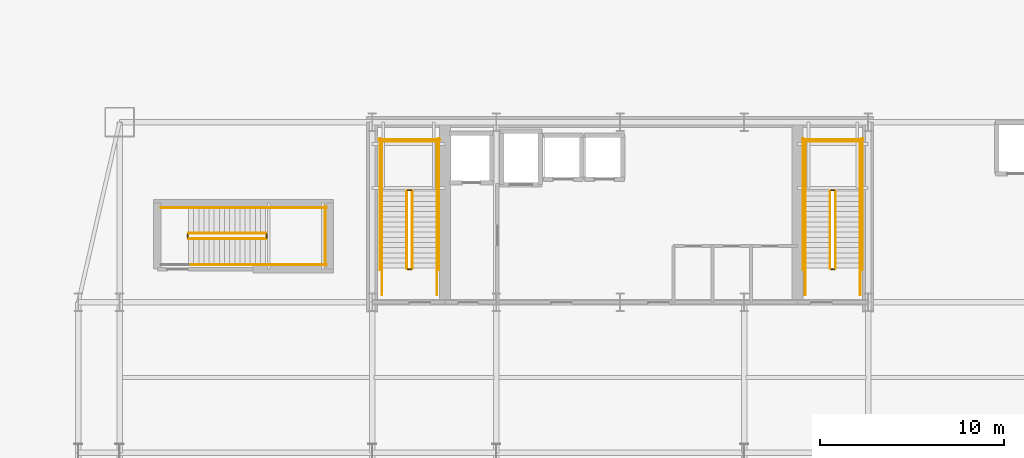
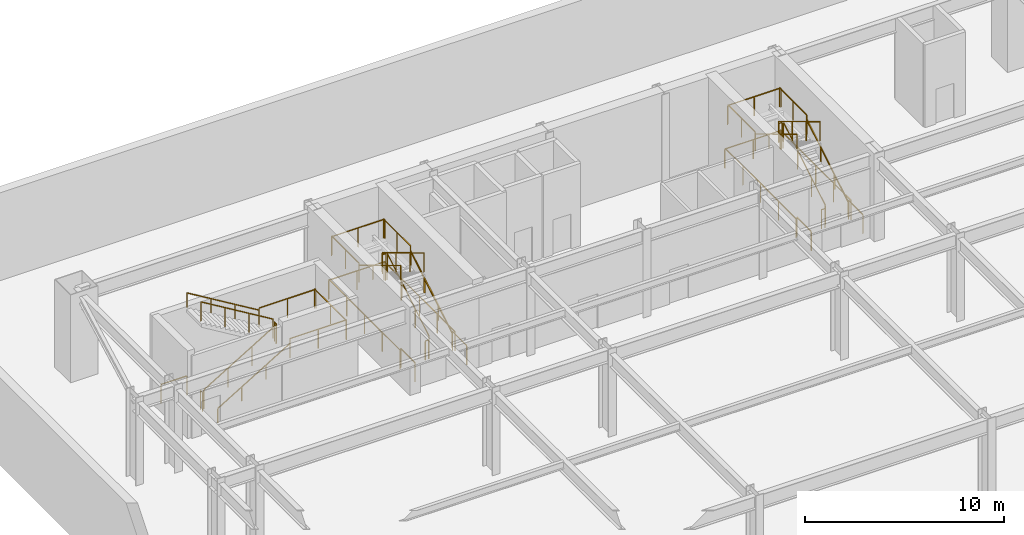
# One storey, part 13 of 16: 38 railings.
"""IFC4 building model written with IfcOpenShell, lengths in metres."""

from ifc_helpers import new_model, si_unit, direction, frame, origin, origin_2d, place, context, subcontext, project, spatial, rectangle, extrude, material, type_object, element, save


model = new_model("IFC4")

# Units and contexts
model_context = context("Model", 3, precision=1e-05, world=origin(), true_north=direction((0.0, 1.0)))
body_context = subcontext(model_context, "Body", "Model", "MODEL_VIEW")
ifc_project = project(units=[si_unit("LENGTHUNIT", "METRE"), si_unit("AREAUNIT", "SQUARE_METRE"), si_unit("VOLUMEUNIT", "CUBIC_METRE"), si_unit("PLANEANGLEUNIT", "RADIAN"), si_unit("MASSUNIT", "GRAM", prefix="KILO")], contexts=[model_context])

# Site, building, storey
site_placement = place(None, origin())
site = spatial("IfcSite", under=ifc_project, at=site_placement, CompositionType="ELEMENT")
building_placement = place(site_placement, origin())
building = spatial("IfcBuilding", under=site, at=building_placement, Name="Haevon Station Towers", CompositionType="ELEMENT")
storey_placement = place(building_placement, frame((0.0, 0.0, -5.39990234375)))
storey = spatial("IfcBuildingStorey", under=building, at=storey_placement, Name="B01", CompositionType="ELEMENT", Elevation=-5.39990234375)

# Railings
ifc_material = material(Name="Steel S355", Category="steel")
railing_type_1 = type_object("IfcRailingType", Name="GRD-STR1200", PredefinedType="GUARDRAIL", material=ifc_material)
railing_1_placement = place(storey_placement, frame((26.179931640625, 40.050048828125, 0.168701171875)))
element("IfcRailing", 1, at=railing_1_placement, inside=storey, type_object=railing_type_1, Name="B01 ST1 Stair Guard 1", PredefinedType="GUARDRAIL", context=body_context, shape_type="SweptSolid", body=[
    extrude(rectangle(XDim=0.048095703125, YDim=0.048095703125, at=origin_2d()), frame((0.0, 0.0, 1.17578125), z_axis=(0.0, 0.856476492594, 0.516186030065), x_axis=(-1.0, 0.0, 0.0)), (0.0, 0.0, 1.0), 4.90380859375),
    extrude(rectangle(XDim=0.0419921875, YDim=0.0419921875, at=origin_2d()), origin(), (0.0, 0.0, 1.0), 1.15185546875),
    extrude(rectangle(XDim=0.0419921875, YDim=0.0419921875, at=origin_2d()), frame((0.0, 1.39990234375, 0.84375)), (0.0, 0.0, 1.0), 1.15185546875),
    extrude(rectangle(XDim=0.0419921875, YDim=0.0419921875, at=origin_2d()), frame((0.0, 2.800048828125, 1.6875)), (0.0, 0.0, 1.0), 1.15185546875),
    extrude(rectangle(XDim=0.0419921875, YDim=0.0419921875, at=origin_2d()), frame((0.0, 4.199951171875, 2.53125)), (0.0, 0.0, 1.0), 1.15185546875),
])
railing_2_placement = place(storey_placement, frame((26.1298828125, 44.300048828125, 2.699951171875)))
element("IfcRailing", 2, at=railing_2_placement, inside=storey, type_object=railing_type_1, Name="B01 ST1 Stair Guard 2", PredefinedType="GUARDRAIL", context=body_context, shape_type="SweptSolid", body=[
    extrude(rectangle(XDim=0.048095703125, YDim=0.048095703125, at=origin_2d()), frame((0.0, 0.0, 1.17578125), z_axis=(-1.0, 0.0, 0.0), x_axis=(0.0, -1.0, 0.0)), (0.0, 0.0, 1.0), 0.199951171875),
    extrude(rectangle(XDim=0.0419921875, YDim=0.0419921875, at=origin_2d()), origin(), (0.0, 0.0, 1.0), 1.15185546875),
    extrude(rectangle(XDim=0.0419921875, YDim=0.0419921875, at=origin_2d()), frame((-0.199951171875, 0.0, 0.0)), (0.0, 0.0, 1.0), 1.15185546875),
])
for number, where, name in (
    (3, (27.530029296875, 44.25, 2.699951171875), "B01 ST1 Stair Guard 3"),
    (4, (24.530029296875, 44.25, 2.699951171875), "B01 ST1 Stair Guard 4"),
):
    element("IfcRailing", number, at=place(storey_placement, frame(where)), inside=storey, type_object=railing_type_1, Name=name, PredefinedType="GUARDRAIL", context=body_context, shape_type="SweptSolid", body=[
        extrude(rectangle(XDim=0.048095703125, YDim=0.048095703125, at=origin_2d()), frame((0.0, 0.0, 1.17578125), z_axis=(0.0, 1.0, 0.0), x_axis=(-1.0, 0.0, 0.0)), (0.0, 0.0, 1.0), 2.75),
        extrude(rectangle(XDim=0.0419921875, YDim=0.0419921875, at=origin_2d()), origin(), (0.0, 0.0, 1.0), 1.15185546875),
        extrude(rectangle(XDim=0.0419921875, YDim=0.0419921875, at=origin_2d()), frame((0.0, 1.375, 0.0)), (0.0, 0.0, 1.0), 1.15185546875),
        extrude(rectangle(XDim=0.0419921875, YDim=0.0419921875, at=origin_2d()), frame((0.0, 2.75, 0.0)), (0.0, 0.0, 1.0), 1.15185546875),
    ])
railing_3_placement = place(storey_placement, frame((27.580078125, 46.949951171875, 2.699951171875)))
element("IfcRailing", 5, at=railing_3_placement, inside=storey, type_object=railing_type_1, Name="B01 ST1 Stair Guard 5", PredefinedType="GUARDRAIL", context=body_context, shape_type="SweptSolid", body=[
    extrude(rectangle(XDim=0.048095703125, YDim=0.048095703125, at=origin_2d()), frame((0.0, 0.0, 1.17578125), z_axis=(-1.0, 0.0, 0.0), x_axis=(0.0, -1.0, 0.0)), (0.0, 0.0, 1.0), 3.10009765625),
    extrude(rectangle(XDim=0.0419921875, YDim=0.0419921875, at=origin_2d()), origin(), (0.0, 0.0, 1.0), 1.15185546875),
    extrude(rectangle(XDim=0.0419921875, YDim=0.0419921875, at=origin_2d()), frame((-1.550048828125, 0.0, 0.0)), (0.0, 0.0, 1.0), 1.15185546875),
    extrude(rectangle(XDim=0.0419921875, YDim=0.0419921875, at=origin_2d()), frame((-3.10009765625, 0.0, 0.0)), (0.0, 0.0, 1.0), 1.15185546875),
])
railing_4_placement = place(storey_placement, frame((25.8798828125, 44.25, 2.86865234375)))
element("IfcRailing", 6, at=railing_4_placement, inside=storey, type_object=railing_type_1, Name="B01 ST1 Stair Guard 6", PredefinedType="GUARDRAIL", context=body_context, shape_type="SweptSolid", body=[
    extrude(rectangle(XDim=0.048095703125, YDim=0.048095703125, at=origin_2d()), frame((0.0, 0.0, 1.17578125), z_axis=(0.0, -0.856476492594, 0.516186030065), x_axis=(1.0, 0.0, 0.0)), (0.0, 0.0, 1.0), 4.90380859375),
    extrude(rectangle(XDim=0.0419921875, YDim=0.0419921875, at=origin_2d()), origin(), (0.0, 0.0, 1.0), 1.15185546875),
    extrude(rectangle(XDim=0.0419921875, YDim=0.0419921875, at=origin_2d()), frame((0.0, -1.39990234375, 0.84375)), (0.0, 0.0, 1.0), 1.15185546875),
    extrude(rectangle(XDim=0.0419921875, YDim=0.0419921875, at=origin_2d()), frame((0.0, -2.800048828125, 1.6875)), (0.0, 0.0, 1.0), 1.15185546875),
    extrude(rectangle(XDim=0.0419921875, YDim=0.0419921875, at=origin_2d()), frame((0.0, -4.199951171875, 2.53125)), (0.0, 0.0, 1.0), 1.15185546875),
])
railing_5_placement = place(storey_placement, frame((26.1298828125, 40.0, 0.0)))
element("IfcRailing", 7, at=railing_5_placement, inside=storey, type_object=railing_type_1, Name="B01 ST1 Stair Guard 7", PredefinedType="GUARDRAIL", context=body_context, shape_type="SweptSolid", body=[
    extrude(rectangle(XDim=0.048095703125, YDim=0.048095703125, at=origin_2d()), frame((0.0, 0.0, 1.17578125), z_axis=(-1.0, 0.0, 0.0), x_axis=(0.0, -1.0, 0.0)), (0.0, 0.0, 1.0), 0.199951171875),
    extrude(rectangle(XDim=0.0419921875, YDim=0.0419921875, at=origin_2d()), origin(), (0.0, 0.0, 1.0), 1.15185546875),
    extrude(rectangle(XDim=0.0419921875, YDim=0.0419921875, at=origin_2d()), frame((-0.199951171875, 0.0, 0.0)), (0.0, 0.0, 1.0), 1.15185546875),
])
for number, where, name in (
    (8, (27.530029296875, 38.60009765625, 0.0), "B01 ST1 Stair Guard 8"),
    (9, (24.530029296875, 38.60009765625, 0.0), "B01 ST1 Stair Guard 9"),
):
    element("IfcRailing", number, at=place(storey_placement, frame(where)), inside=storey, type_object=railing_type_1, Name=name, PredefinedType="GUARDRAIL", context=body_context, shape_type="SweptSolid", body=[
        extrude(rectangle(XDim=0.048095703125, YDim=0.048095703125, at=origin_2d()), frame((0.0, 0.0, 1.17578125), z_axis=(0.0, 1.0, 0.0), x_axis=(-1.0, 0.0, 0.0)), (0.0, 0.0, 1.0), 1.449951171875),
        extrude(rectangle(XDim=0.0419921875, YDim=0.0419921875, at=origin_2d()), origin(), (0.0, 0.0, 1.0), 1.15185546875),
        extrude(rectangle(XDim=0.0419921875, YDim=0.0419921875, at=origin_2d()), frame((0.0, 1.449951171875, 0.0)), (0.0, 0.0, 1.0), 1.15185546875),
    ])
for number, where, name in (
    (10, (27.6298828125, 39.949951171875, 0.0), "B01 ST1 Stair Guard 10"),
    (11, (24.429931640625, 39.949951171875, 0.0), "B01 ST1 Stair Guard 11"),
):
    element("IfcRailing", number, at=place(storey_placement, frame(where)), inside=storey, type_object=railing_type_1, Name=name, PredefinedType="GUARDRAIL", context=body_context, shape_type="SweptSolid", body=[
        extrude(rectangle(XDim=0.048095703125, YDim=0.048095703125, at=origin_2d()), frame((0.0, 0.0, 1.17578125), z_axis=(0.0, 1.0, 0.0), x_axis=(-1.0, 0.0, 0.0)), (0.0, 0.0, 1.0), 7.150146484375),
        extrude(rectangle(XDim=0.0419921875, YDim=0.0419921875, at=origin_2d()), origin(), (0.0, 0.0, 1.0), 1.15185546875),
        extrude(rectangle(XDim=0.0419921875, YDim=0.0419921875, at=origin_2d()), frame((0.0, 1.78759765625, 0.0)), (0.0, 0.0, 1.0), 1.15185546875),
        extrude(rectangle(XDim=0.0419921875, YDim=0.0419921875, at=origin_2d()), frame((0.0, 3.5751953125, 0.0)), (0.0, 0.0, 1.0), 1.15185546875),
        extrude(rectangle(XDim=0.0419921875, YDim=0.0419921875, at=origin_2d()), frame((0.0, 5.362548828125, 0.0)), (0.0, 0.0, 1.0), 1.15185546875),
        extrude(rectangle(XDim=0.0419921875, YDim=0.0419921875, at=origin_2d()), frame((0.0, 7.150146484375, 0.0)), (0.0, 0.0, 1.0), 1.15185546875),
    ])
railing_6_placement = place(storey_placement, frame((27.679931640625, 47.050048828125, 0.0)))
element("IfcRailing", 12, at=railing_6_placement, inside=storey, type_object=railing_type_1, Name="B01 ST1 Stair Guard 12", PredefinedType="GUARDRAIL", context=body_context, shape_type="SweptSolid", body=[
    extrude(rectangle(XDim=0.048095703125, YDim=0.048095703125, at=origin_2d()), frame((0.0, 0.0, 1.17578125), z_axis=(-1.0, 0.0, 0.0), x_axis=(0.0, -1.0, 0.0)), (0.0, 0.0, 1.0), 3.300048828125),
    extrude(rectangle(XDim=0.0419921875, YDim=0.0419921875, at=origin_2d()), origin(), (0.0, 0.0, 1.0), 1.15185546875),
    extrude(rectangle(XDim=0.0419921875, YDim=0.0419921875, at=origin_2d()), frame((-1.64990234375, 0.0, 0.0)), (0.0, 0.0, 1.0), 1.15185546875),
    extrude(rectangle(XDim=0.0419921875, YDim=0.0419921875, at=origin_2d()), frame((-3.300048828125, 0.0, 0.0)), (0.0, 0.0, 1.0), 1.15185546875),
])
railing_7_placement = place(storey_placement, frame((49.219970703125, 40.050048828125, 0.168701171875)))
element("IfcRailing", 13, at=railing_7_placement, inside=storey, type_object=railing_type_1, Name="B01 ST2 Stair Guard 1", PredefinedType="GUARDRAIL", context=body_context, shape_type="SweptSolid", body=[
    extrude(rectangle(XDim=0.048095703125, YDim=0.048095703125, at=origin_2d()), frame((0.0, 0.0, 1.17578125), z_axis=(0.0, 0.856476492594, 0.516186030065), x_axis=(-1.0, 0.0, 0.0)), (0.0, 0.0, 1.0), 4.90380859375),
    extrude(rectangle(XDim=0.0419921875, YDim=0.0419921875, at=origin_2d()), origin(), (0.0, 0.0, 1.0), 1.15185546875),
    extrude(rectangle(XDim=0.0419921875, YDim=0.0419921875, at=origin_2d()), frame((0.0, 1.39990234375, 0.84375)), (0.0, 0.0, 1.0), 1.15185546875),
    extrude(rectangle(XDim=0.0419921875, YDim=0.0419921875, at=origin_2d()), frame((0.0, 2.800048828125, 1.6875)), (0.0, 0.0, 1.0), 1.15185546875),
    extrude(rectangle(XDim=0.0419921875, YDim=0.0419921875, at=origin_2d()), frame((0.0, 4.199951171875, 2.53125)), (0.0, 0.0, 1.0), 1.15185546875),
])
railing_8_placement = place(storey_placement, frame((49.169921875, 44.300048828125, 2.699951171875)))
element("IfcRailing", 14, at=railing_8_placement, inside=storey, type_object=railing_type_1, Name="B01 ST2 Stair Guard 2", PredefinedType="GUARDRAIL", context=body_context, shape_type="SweptSolid", body=[
    extrude(rectangle(XDim=0.048095703125, YDim=0.048095703125, at=origin_2d()), frame((0.0, 0.0, 1.17578125), z_axis=(-1.0, 0.0, 0.0), x_axis=(0.0, -1.0, 0.0)), (0.0, 0.0, 1.0), 0.199951171875),
    extrude(rectangle(XDim=0.0419921875, YDim=0.0419921875, at=origin_2d()), origin(), (0.0, 0.0, 1.0), 1.15185546875),
    extrude(rectangle(XDim=0.0419921875, YDim=0.0419921875, at=origin_2d()), frame((-0.199951171875, 0.0, 0.0)), (0.0, 0.0, 1.0), 1.15185546875),
])
for number, where, name in (
    (15, (50.570068359375, 44.25, 2.699951171875), "B01 ST2 Stair Guard 3"),
    (16, (47.570068359375, 44.25, 2.699951171875), "B01 ST2 Stair Guard 4"),
):
    element("IfcRailing", number, at=place(storey_placement, frame(where)), inside=storey, type_object=railing_type_1, Name=name, PredefinedType="GUARDRAIL", context=body_context, shape_type="SweptSolid", body=[
        extrude(rectangle(XDim=0.048095703125, YDim=0.048095703125, at=origin_2d()), frame((0.0, 0.0, 1.17578125), z_axis=(0.0, 1.0, 0.0), x_axis=(-1.0, 0.0, 0.0)), (0.0, 0.0, 1.0), 2.75),
        extrude(rectangle(XDim=0.0419921875, YDim=0.0419921875, at=origin_2d()), origin(), (0.0, 0.0, 1.0), 1.15185546875),
        extrude(rectangle(XDim=0.0419921875, YDim=0.0419921875, at=origin_2d()), frame((0.0, 1.375, 0.0)), (0.0, 0.0, 1.0), 1.15185546875),
        extrude(rectangle(XDim=0.0419921875, YDim=0.0419921875, at=origin_2d()), frame((0.0, 2.75, 0.0)), (0.0, 0.0, 1.0), 1.15185546875),
    ])
railing_9_placement = place(storey_placement, frame((50.6201171875, 46.949951171875, 2.699951171875)))
element("IfcRailing", 17, at=railing_9_placement, inside=storey, type_object=railing_type_1, Name="B01 ST2 Stair Guard 5", PredefinedType="GUARDRAIL", context=body_context, shape_type="SweptSolid", body=[
    extrude(rectangle(XDim=0.048095703125, YDim=0.048095703125, at=origin_2d()), frame((0.0, 0.0, 1.17578125), z_axis=(-1.0, 0.0, 0.0), x_axis=(0.0, -1.0, 0.0)), (0.0, 0.0, 1.0), 3.10009765625),
    extrude(rectangle(XDim=0.0419921875, YDim=0.0419921875, at=origin_2d()), origin(), (0.0, 0.0, 1.0), 1.15185546875),
    extrude(rectangle(XDim=0.0419921875, YDim=0.0419921875, at=origin_2d()), frame((-1.550048828125, 0.0, 0.0)), (0.0, 0.0, 1.0), 1.15185546875),
    extrude(rectangle(XDim=0.0419921875, YDim=0.0419921875, at=origin_2d()), frame((-3.10009765625, 0.0, 0.0)), (0.0, 0.0, 1.0), 1.15185546875),
])
railing_10_placement = place(storey_placement, frame((48.919921875, 44.25, 2.86865234375)))
element("IfcRailing", 18, at=railing_10_placement, inside=storey, type_object=railing_type_1, Name="B01 ST2 Stair Guard 6", PredefinedType="GUARDRAIL", context=body_context, shape_type="SweptSolid", body=[
    extrude(rectangle(XDim=0.048095703125, YDim=0.048095703125, at=origin_2d()), frame((0.0, 0.0, 1.17578125), z_axis=(0.0, -0.856476492594, 0.516186030065), x_axis=(1.0, 0.0, 0.0)), (0.0, 0.0, 1.0), 4.90380859375),
    extrude(rectangle(XDim=0.0419921875, YDim=0.0419921875, at=origin_2d()), origin(), (0.0, 0.0, 1.0), 1.15185546875),
    extrude(rectangle(XDim=0.0419921875, YDim=0.0419921875, at=origin_2d()), frame((0.0, -1.39990234375, 0.84375)), (0.0, 0.0, 1.0), 1.15185546875),
    extrude(rectangle(XDim=0.0419921875, YDim=0.0419921875, at=origin_2d()), frame((0.0, -2.800048828125, 1.6875)), (0.0, 0.0, 1.0), 1.15185546875),
    extrude(rectangle(XDim=0.0419921875, YDim=0.0419921875, at=origin_2d()), frame((0.0, -4.199951171875, 2.53125)), (0.0, 0.0, 1.0), 1.15185546875),
])
railing_11_placement = place(storey_placement, frame((49.169921875, 40.0, 0.0)))
element("IfcRailing", 19, at=railing_11_placement, inside=storey, type_object=railing_type_1, Name="B01 ST2 Stair Guard 7", PredefinedType="GUARDRAIL", context=body_context, shape_type="SweptSolid", body=[
    extrude(rectangle(XDim=0.048095703125, YDim=0.048095703125, at=origin_2d()), frame((0.0, 0.0, 1.17578125), z_axis=(-1.0, 0.0, 0.0), x_axis=(0.0, -1.0, 0.0)), (0.0, 0.0, 1.0), 0.199951171875),
    extrude(rectangle(XDim=0.0419921875, YDim=0.0419921875, at=origin_2d()), origin(), (0.0, 0.0, 1.0), 1.15185546875),
    extrude(rectangle(XDim=0.0419921875, YDim=0.0419921875, at=origin_2d()), frame((-0.199951171875, 0.0, 0.0)), (0.0, 0.0, 1.0), 1.15185546875),
])
for number, where, name in (
    (20, (50.570068359375, 38.60009765625, 0.0), "B01 ST2 Stair Guard 8"),
    (21, (47.570068359375, 38.60009765625, 0.0), "B01 ST2 Stair Guard 9"),
):
    element("IfcRailing", number, at=place(storey_placement, frame(where)), inside=storey, type_object=railing_type_1, Name=name, PredefinedType="GUARDRAIL", context=body_context, shape_type="SweptSolid", body=[
        extrude(rectangle(XDim=0.048095703125, YDim=0.048095703125, at=origin_2d()), frame((0.0, 0.0, 1.17578125), z_axis=(0.0, 1.0, 0.0), x_axis=(-1.0, 0.0, 0.0)), (0.0, 0.0, 1.0), 1.449951171875),
        extrude(rectangle(XDim=0.0419921875, YDim=0.0419921875, at=origin_2d()), origin(), (0.0, 0.0, 1.0), 1.15185546875),
        extrude(rectangle(XDim=0.0419921875, YDim=0.0419921875, at=origin_2d()), frame((0.0, 1.449951171875, 0.0)), (0.0, 0.0, 1.0), 1.15185546875),
    ])
for number, where, name in (
    (22, (50.669921875, 39.949951171875, 0.0), "B01 ST2 Stair Guard 10"),
    (23, (47.469970703125, 39.949951171875, 0.0), "B01 ST2 Stair Guard 11"),
):
    element("IfcRailing", number, at=place(storey_placement, frame(where)), inside=storey, type_object=railing_type_1, Name=name, PredefinedType="GUARDRAIL", context=body_context, shape_type="SweptSolid", body=[
        extrude(rectangle(XDim=0.048095703125, YDim=0.048095703125, at=origin_2d()), frame((0.0, 0.0, 1.17578125), z_axis=(0.0, 1.0, 0.0), x_axis=(-1.0, 0.0, 0.0)), (0.0, 0.0, 1.0), 7.150146484375),
        extrude(rectangle(XDim=0.0419921875, YDim=0.0419921875, at=origin_2d()), origin(), (0.0, 0.0, 1.0), 1.15185546875),
        extrude(rectangle(XDim=0.0419921875, YDim=0.0419921875, at=origin_2d()), frame((0.0, 1.78759765625, 0.0)), (0.0, 0.0, 1.0), 1.15185546875),
        extrude(rectangle(XDim=0.0419921875, YDim=0.0419921875, at=origin_2d()), frame((0.0, 3.5751953125, 0.0)), (0.0, 0.0, 1.0), 1.15185546875),
        extrude(rectangle(XDim=0.0419921875, YDim=0.0419921875, at=origin_2d()), frame((0.0, 5.362548828125, 0.0)), (0.0, 0.0, 1.0), 1.15185546875),
        extrude(rectangle(XDim=0.0419921875, YDim=0.0419921875, at=origin_2d()), frame((0.0, 7.150146484375, 0.0)), (0.0, 0.0, 1.0), 1.15185546875),
    ])
railing_12_placement = place(storey_placement, frame((50.719970703125, 47.050048828125, 0.0)))
element("IfcRailing", 24, at=railing_12_placement, inside=storey, type_object=railing_type_1, Name="B01 ST2 Stair Guard 12", PredefinedType="GUARDRAIL", context=body_context, shape_type="SweptSolid", body=[
    extrude(rectangle(XDim=0.048095703125, YDim=0.048095703125, at=origin_2d()), frame((0.0, 0.0, 1.17578125), z_axis=(-1.0, 0.0, 0.0), x_axis=(0.0, -1.0, 0.0)), (0.0, 0.0, 1.0), 3.300048828125),
    extrude(rectangle(XDim=0.0419921875, YDim=0.0419921875, at=origin_2d()), origin(), (0.0, 0.0, 1.0), 1.15185546875),
    extrude(rectangle(XDim=0.0419921875, YDim=0.0419921875, at=origin_2d()), frame((-1.64990234375, 0.0, 0.0)), (0.0, 0.0, 1.0), 1.15185546875),
    extrude(rectangle(XDim=0.0419921875, YDim=0.0419921875, at=origin_2d()), frame((-3.300048828125, 0.0, 0.0)), (0.0, 0.0, 1.0), 1.15185546875),
])
railing_13_placement = place(storey_placement, frame((14.0, 41.64990234375, 0.168701171875)))
element("IfcRailing", 25, at=railing_13_placement, inside=storey, type_object=railing_type_1, Name="B01 ST5 Stair Guard 1", PredefinedType="GUARDRAIL", context=body_context, shape_type="SweptSolid", body=[
    extrude(rectangle(XDim=0.048095703125, YDim=0.048095703125, at=origin_2d()), frame((0.0, 0.0, 1.17578125), z_axis=(0.856476492594, 0.0, 0.516186030065), x_axis=(0.0, 1.0, 0.0)), (0.0, 0.0, 1.0), 4.90380859375),
    extrude(rectangle(XDim=0.0419921875, YDim=0.0419921875, at=origin_2d()), origin(), (0.0, 0.0, 1.0), 1.15185546875),
    extrude(rectangle(XDim=0.0419921875, YDim=0.0419921875, at=origin_2d()), frame((1.39990234375, 0.0, 0.84375)), (0.0, 0.0, 1.0), 1.15185546875),
    extrude(rectangle(XDim=0.0419921875, YDim=0.0419921875, at=origin_2d()), frame((2.800048828125, 0.0, 1.6875)), (0.0, 0.0, 1.0), 1.15185546875),
    extrude(rectangle(XDim=0.0419921875, YDim=0.0419921875, at=origin_2d()), frame((4.199951171875, 0.0, 2.53125)), (0.0, 0.0, 1.0), 1.15185546875),
])
railing_14_placement = place(storey_placement, frame((18.25, 41.699951171875, 2.699951171875)))
element("IfcRailing", 26, at=railing_14_placement, inside=storey, type_object=railing_type_1, Name="B01 ST5 Stair Guard 2", PredefinedType="GUARDRAIL", context=body_context, shape_type="SweptSolid", body=[
    extrude(rectangle(XDim=0.048095703125, YDim=0.048095703125, at=origin_2d()), frame((0.0, 0.0, 1.17578125), z_axis=(0.0, 1.0, 0.0), x_axis=(-1.0, 0.0, 0.0)), (0.0, 0.0, 1.0), 0.199951171875),
    extrude(rectangle(XDim=0.0419921875, YDim=0.0419921875, at=origin_2d()), origin(), (0.0, 0.0, 1.0), 1.15185546875),
    extrude(rectangle(XDim=0.0419921875, YDim=0.0419921875, at=origin_2d()), frame((0.0, 0.199951171875, 0.0)), (0.0, 0.0, 1.0), 1.15185546875),
])
for number, where, name in (
    (27, (18.199951171875, 40.25, 2.699951171875), "B01 ST5 Stair Guard 3"),
    (28, (18.199951171875, 43.35009765625, 2.699951171875), "B01 ST5 Stair Guard 4"),
):
    element("IfcRailing", number, at=place(storey_placement, frame(where)), inside=storey, type_object=railing_type_1, Name=name, PredefinedType="GUARDRAIL", context=body_context, shape_type="SweptSolid", body=[
        extrude(rectangle(XDim=0.048095703125, YDim=0.048095703125, at=origin_2d()), frame((0.0, 0.0, 1.17578125), z_axis=(1.0, 0.0, 0.0), x_axis=(0.0, 1.0, 0.0)), (0.0, 0.0, 1.0), 3.300048828125),
        extrude(rectangle(XDim=0.0419921875, YDim=0.0419921875, at=origin_2d()), origin(), (0.0, 0.0, 1.0), 1.15185546875),
        extrude(rectangle(XDim=0.0419921875, YDim=0.0419921875, at=origin_2d()), frame((1.64990234375, 0.0, 0.0)), (0.0, 0.0, 1.0), 1.15185546875),
        extrude(rectangle(XDim=0.0419921875, YDim=0.0419921875, at=origin_2d()), frame((3.300048828125, 0.0, 0.0)), (0.0, 0.0, 1.0), 1.15185546875),
    ])
railing_15_placement = place(storey_placement, frame((21.449951171875, 40.199951171875, 2.699951171875)))
element("IfcRailing", 29, at=railing_15_placement, inside=storey, type_object=railing_type_1, Name="B01 ST5 Stair Guard 5", PredefinedType="GUARDRAIL", context=body_context, shape_type="SweptSolid", body=[
    extrude(rectangle(XDim=0.048095703125, YDim=0.048095703125, at=origin_2d()), frame((0.0, 0.0, 1.17578125), z_axis=(0.0, 1.0, 0.0), x_axis=(-1.0, 0.0, 0.0)), (0.0, 0.0, 1.0), 3.199951171875),
    extrude(rectangle(XDim=0.0419921875, YDim=0.0419921875, at=origin_2d()), origin(), (0.0, 0.0, 1.0), 1.15185546875),
    extrude(rectangle(XDim=0.0419921875, YDim=0.0419921875, at=origin_2d()), frame((0.0, 1.60009765625, 0.0)), (0.0, 0.0, 1.0), 1.15185546875),
    extrude(rectangle(XDim=0.0419921875, YDim=0.0419921875, at=origin_2d()), frame((0.0, 3.199951171875, 0.0)), (0.0, 0.0, 1.0), 1.15185546875),
])
railing_16_placement = place(storey_placement, frame((18.199951171875, 41.949951171875, 2.86865234375)))
element("IfcRailing", 30, at=railing_16_placement, inside=storey, type_object=railing_type_1, Name="B01 ST5 Stair Guard 6", PredefinedType="GUARDRAIL", context=body_context, shape_type="SweptSolid", body=[
    extrude(rectangle(XDim=0.048095703125, YDim=0.048095703125, at=origin_2d()), frame((0.0, 0.0, 1.17578125), z_axis=(-0.856476492594, 0.0, 0.516186030065), x_axis=(0.0, -1.0, 0.0)), (0.0, 0.0, 1.0), 4.90380859375),
    extrude(rectangle(XDim=0.0419921875, YDim=0.0419921875, at=origin_2d()), origin(), (0.0, 0.0, 1.0), 1.15185546875),
    extrude(rectangle(XDim=0.0419921875, YDim=0.0419921875, at=origin_2d()), frame((-1.39990234375, 0.0, 0.84375)), (0.0, 0.0, 1.0), 1.15185546875),
    extrude(rectangle(XDim=0.0419921875, YDim=0.0419921875, at=origin_2d()), frame((-2.800048828125, 0.0, 1.6875)), (0.0, 0.0, 1.0), 1.15185546875),
    extrude(rectangle(XDim=0.0419921875, YDim=0.0419921875, at=origin_2d()), frame((-4.199951171875, 0.0, 2.53125)), (0.0, 0.0, 1.0), 1.15185546875),
])
railing_17_placement = place(storey_placement, frame((13.949951171875, 41.699951171875, 0.0)))
element("IfcRailing", 31, at=railing_17_placement, inside=storey, type_object=railing_type_1, Name="B01 ST5 Stair Guard 7", PredefinedType="GUARDRAIL", context=body_context, shape_type="SweptSolid", body=[
    extrude(rectangle(XDim=0.048095703125, YDim=0.048095703125, at=origin_2d()), frame((0.0, 0.0, 1.17578125), z_axis=(0.0, 1.0, 0.0), x_axis=(-1.0, 0.0, 0.0)), (0.0, 0.0, 1.0), 0.199951171875),
    extrude(rectangle(XDim=0.0419921875, YDim=0.0419921875, at=origin_2d()), origin(), (0.0, 0.0, 1.0), 1.15185546875),
    extrude(rectangle(XDim=0.0419921875, YDim=0.0419921875, at=origin_2d()), frame((0.0, 0.199951171875, 0.0)), (0.0, 0.0, 1.0), 1.15185546875),
])
railing_18_placement = place(storey_placement, frame((12.5, 43.35009765625, 0.0)))
element("IfcRailing", 32, at=railing_18_placement, inside=storey, type_object=railing_type_1, Name="B01 ST5 Stair Guard 9", PredefinedType="GUARDRAIL", context=body_context, shape_type="SweptSolid", body=[
    extrude(rectangle(XDim=0.048095703125, YDim=0.048095703125, at=origin_2d()), frame((0.0, 0.0, 1.17578125), z_axis=(1.0, 0.0, 0.0), x_axis=(0.0, 1.0, 0.0)), (0.0, 0.0, 1.0), 1.5),
    extrude(rectangle(XDim=0.0419921875, YDim=0.0419921875, at=origin_2d()), origin(), (0.0, 0.0, 1.0), 1.15185546875),
    extrude(rectangle(XDim=0.0419921875, YDim=0.0419921875, at=origin_2d()), frame((1.5, 0.0, 0.0)), (0.0, 0.0, 1.0), 1.15185546875),
])
railing_type_2 = type_object("IfcRailingType", Name="HND-STR900", PredefinedType="HANDRAIL", material=ifc_material)
railing_19_placement = place(storey_placement, frame((27.530029296875, 40.050048828125, 0.168701171875)))
element("IfcRailing", 33, at=railing_19_placement, inside=storey, type_object=railing_type_2, Name="B01 ST1 Stair Handrail 1", PredefinedType="HANDRAIL", context=body_context, shape_type="SweptSolid", body=[
    extrude(rectangle(XDim=0.048095703125, YDim=0.048095703125, at=origin_2d()), frame((0.0, 0.0, 0.8759765625), z_axis=(0.0, 0.856476492594, 0.516186030065), x_axis=(-1.0, 0.0, 0.0)), (0.0, 0.0, 1.0), 4.90380859375),
    extrude(rectangle(XDim=0.0419921875, YDim=0.0419921875, at=origin_2d()), origin(), (0.0, 0.0, 1.0), 0.851806640625),
    extrude(rectangle(XDim=0.0419921875, YDim=0.0419921875, at=origin_2d()), frame((0.0, 1.39990234375, 0.84375)), (0.0, 0.0, 1.0), 0.851806640625),
    extrude(rectangle(XDim=0.0419921875, YDim=0.0419921875, at=origin_2d()), frame((0.0, 2.800048828125, 1.6875)), (0.0, 0.0, 1.0), 0.851806640625),
    extrude(rectangle(XDim=0.0419921875, YDim=0.0419921875, at=origin_2d()), frame((0.0, 4.199951171875, 2.53125)), (0.0, 0.0, 1.0), 0.851806640625),
])
railing_20_placement = place(storey_placement, frame((24.530029296875, 44.25, 2.86865234375)))
element("IfcRailing", 34, at=railing_20_placement, inside=storey, type_object=railing_type_2, Name="B01 ST1 Stair Handrail 2", PredefinedType="HANDRAIL", context=body_context, shape_type="SweptSolid", body=[
    extrude(rectangle(XDim=0.048095703125, YDim=0.048095703125, at=origin_2d()), frame((0.0, 0.0, 0.8759765625), z_axis=(0.0, -0.856476492594, 0.516186030065), x_axis=(1.0, 0.0, 0.0)), (0.0, 0.0, 1.0), 4.90380859375),
    extrude(rectangle(XDim=0.0419921875, YDim=0.0419921875, at=origin_2d()), origin(), (0.0, 0.0, 1.0), 0.851806640625),
    extrude(rectangle(XDim=0.0419921875, YDim=0.0419921875, at=origin_2d()), frame((0.0, -1.39990234375, 0.84375)), (0.0, 0.0, 1.0), 0.851806640625),
    extrude(rectangle(XDim=0.0419921875, YDim=0.0419921875, at=origin_2d()), frame((0.0, -2.800048828125, 1.6875)), (0.0, 0.0, 1.0), 0.851806640625),
    extrude(rectangle(XDim=0.0419921875, YDim=0.0419921875, at=origin_2d()), frame((0.0, -4.199951171875, 2.53125)), (0.0, 0.0, 1.0), 0.851806640625),
])
railing_21_placement = place(storey_placement, frame((50.570068359375, 40.050048828125, 0.168701171875)))
element("IfcRailing", 35, at=railing_21_placement, inside=storey, type_object=railing_type_2, Name="B01 ST2 Stair Handrail 1", PredefinedType="HANDRAIL", context=body_context, shape_type="SweptSolid", body=[
    extrude(rectangle(XDim=0.048095703125, YDim=0.048095703125, at=origin_2d()), frame((0.0, 0.0, 0.8759765625), z_axis=(0.0, 0.856476492594, 0.516186030065), x_axis=(-1.0, 0.0, 0.0)), (0.0, 0.0, 1.0), 4.90380859375),
    extrude(rectangle(XDim=0.0419921875, YDim=0.0419921875, at=origin_2d()), origin(), (0.0, 0.0, 1.0), 0.851806640625),
    extrude(rectangle(XDim=0.0419921875, YDim=0.0419921875, at=origin_2d()), frame((0.0, 1.39990234375, 0.84375)), (0.0, 0.0, 1.0), 0.851806640625),
    extrude(rectangle(XDim=0.0419921875, YDim=0.0419921875, at=origin_2d()), frame((0.0, 2.800048828125, 1.6875)), (0.0, 0.0, 1.0), 0.851806640625),
    extrude(rectangle(XDim=0.0419921875, YDim=0.0419921875, at=origin_2d()), frame((0.0, 4.199951171875, 2.53125)), (0.0, 0.0, 1.0), 0.851806640625),
])
railing_22_placement = place(storey_placement, frame((47.570068359375, 44.25, 2.86865234375)))
element("IfcRailing", 36, at=railing_22_placement, inside=storey, type_object=railing_type_2, Name="B01 ST2 Stair Handrail 2", PredefinedType="HANDRAIL", context=body_context, shape_type="SweptSolid", body=[
    extrude(rectangle(XDim=0.048095703125, YDim=0.048095703125, at=origin_2d()), frame((0.0, 0.0, 0.8759765625), z_axis=(0.0, -0.856476492594, 0.516186030065), x_axis=(1.0, 0.0, 0.0)), (0.0, 0.0, 1.0), 4.90380859375),
    extrude(rectangle(XDim=0.0419921875, YDim=0.0419921875, at=origin_2d()), origin(), (0.0, 0.0, 1.0), 0.851806640625),
    extrude(rectangle(XDim=0.0419921875, YDim=0.0419921875, at=origin_2d()), frame((0.0, -1.39990234375, 0.84375)), (0.0, 0.0, 1.0), 0.851806640625),
    extrude(rectangle(XDim=0.0419921875, YDim=0.0419921875, at=origin_2d()), frame((0.0, -2.800048828125, 1.6875)), (0.0, 0.0, 1.0), 0.851806640625),
    extrude(rectangle(XDim=0.0419921875, YDim=0.0419921875, at=origin_2d()), frame((0.0, -4.199951171875, 2.53125)), (0.0, 0.0, 1.0), 0.851806640625),
])
railing_23_placement = place(storey_placement, frame((14.0, 40.25, 0.168701171875)))
element("IfcRailing", 37, at=railing_23_placement, inside=storey, type_object=railing_type_2, Name="B01 ST5 Stair Handrail 1", PredefinedType="HANDRAIL", context=body_context, shape_type="SweptSolid", body=[
    extrude(rectangle(XDim=0.048095703125, YDim=0.048095703125, at=origin_2d()), frame((0.0, 0.0, 0.8759765625), z_axis=(0.856476492594, 0.0, 0.516186030065), x_axis=(0.0, 1.0, 0.0)), (0.0, 0.0, 1.0), 4.90380859375),
    extrude(rectangle(XDim=0.0419921875, YDim=0.0419921875, at=origin_2d()), origin(), (0.0, 0.0, 1.0), 0.851806640625),
    extrude(rectangle(XDim=0.0419921875, YDim=0.0419921875, at=origin_2d()), frame((1.39990234375, 0.0, 0.84375)), (0.0, 0.0, 1.0), 0.851806640625),
    extrude(rectangle(XDim=0.0419921875, YDim=0.0419921875, at=origin_2d()), frame((2.800048828125, 0.0, 1.6875)), (0.0, 0.0, 1.0), 0.851806640625),
    extrude(rectangle(XDim=0.0419921875, YDim=0.0419921875, at=origin_2d()), frame((4.199951171875, 0.0, 2.53125)), (0.0, 0.0, 1.0), 0.851806640625),
])
railing_24_placement = place(storey_placement, frame((18.199951171875, 43.35009765625, 2.86865234375)))
element("IfcRailing", 38, at=railing_24_placement, inside=storey, type_object=railing_type_2, Name="B01 ST5 Stair Handrail 2", PredefinedType="HANDRAIL", context=body_context, shape_type="SweptSolid", body=[
    extrude(rectangle(XDim=0.048095703125, YDim=0.048095703125, at=origin_2d()), frame((0.0, 0.0, 0.8759765625), z_axis=(-0.856476492594, 0.0, 0.516186030065), x_axis=(0.0, -1.0, 0.0)), (0.0, 0.0, 1.0), 4.90380859375),
    extrude(rectangle(XDim=0.0419921875, YDim=0.0419921875, at=origin_2d()), origin(), (0.0, 0.0, 1.0), 0.851806640625),
    extrude(rectangle(XDim=0.0419921875, YDim=0.0419921875, at=origin_2d()), frame((-1.39990234375, 0.0, 0.84375)), (0.0, 0.0, 1.0), 0.851806640625),
    extrude(rectangle(XDim=0.0419921875, YDim=0.0419921875, at=origin_2d()), frame((-2.800048828125, 0.0, 1.6875)), (0.0, 0.0, 1.0), 0.851806640625),
    extrude(rectangle(XDim=0.0419921875, YDim=0.0419921875, at=origin_2d()), frame((-4.199951171875, 0.0, 2.53125)), (0.0, 0.0, 1.0), 0.851806640625),
])

save(model, "model.ifc")
